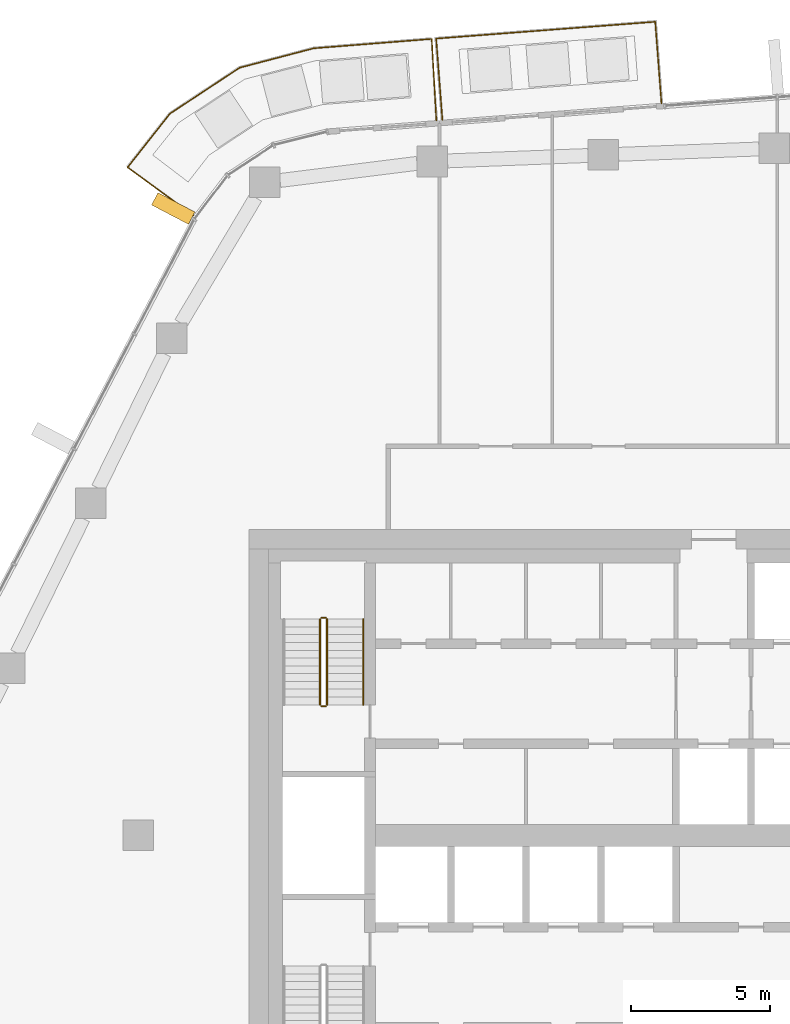
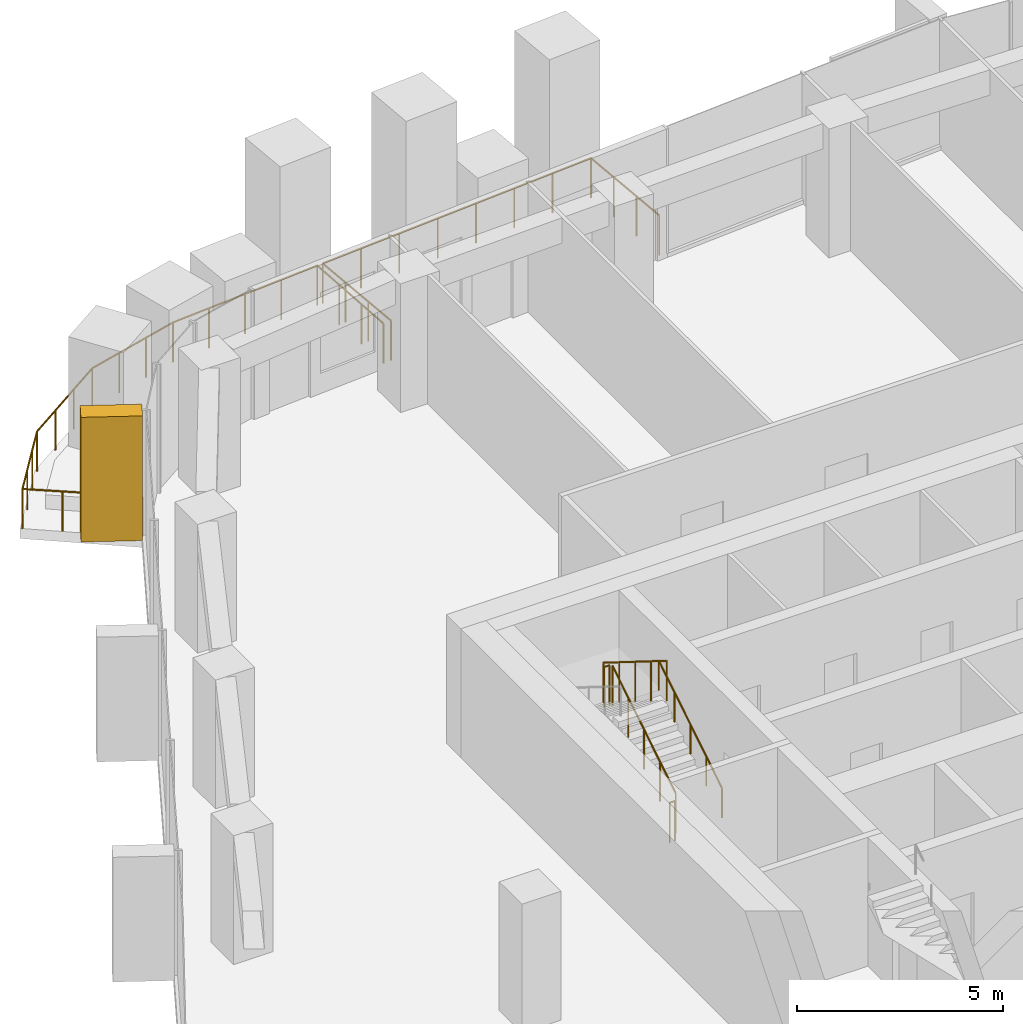
# One storey, part 19 of 20: 7 railings, 1 covering, 1 element without a shape of its own.
"""IFC4 building model written with IfcOpenShell, lengths in metres."""

import ifcopenshell
import ifcopenshell.guid

model = None  # the IFC model being written
_history = None  # IfcOwnerHistory: only IFC2X3 demands one
_inside = {}  # id of a spatial element -> (the spatial element, [elements in it])
_under = {}  # id of a project, library or spatial element -> (it, [spatial elements below it])
_declared = {}  # id of a project -> (the project, [libraries it declares])
_typed = {}  # id of a type object -> (the type object, [elements of that type])
_made_of = {}  # id of a material, layer set ... -> (it, [elements and type objects made of it])


def new_model(schema):
    """Start an empty IFC model of exactly this schema.

    Asked for "IFC4X3", IfcOpenShell would pick the latest addendum, in which some entities
    have other attributes; the version numbers below select the first issue.
    IFC2X3 requires an IfcOwnerHistory on every rooted entity: one is made here for all.
    """
    global model, _history
    if schema == "IFC4X3":
        model = ifcopenshell.file(schema_version=(4, 3, 0, 0))
    else:
        model = ifcopenshell.file(schema=schema)
    _inside.clear()
    _under.clear()
    _declared.clear()
    _typed.clear()
    _made_of.clear()
    _history = None
    if model.schema == "IFC2X3":
        org = make("IfcOrganization", Name="unknown")
        user = make(
            "IfcPersonAndOrganization",
            ThePerson=make("IfcPerson", FamilyName="unknown"),
            TheOrganization=org,
        )
        app = make(
            "IfcApplication",
            ApplicationDeveloper=org,
            Version="unknown",
            ApplicationFullName="unknown",
            ApplicationIdentifier="unknown",
        )
        _history = make(
            "IfcOwnerHistory",
            OwningUser=user,
            OwningApplication=app,
            ChangeAction="ADDED",
            CreationDate=0,
        )
    return model


def make(cls, **values):
    """One entity of the class cls with the attributes given. An attribute that is None is left unset."""
    return model.create_entity(
        cls, **{name: value for name, value in values.items() if value is not None}
    )


def rooted(cls, **values):
    """An entity with a GlobalId (a new one), such as an element, a storey or a relation."""
    return make(cls, GlobalId=ifcopenshell.guid.new(), OwnerHistory=_history, **values)


def si_unit(unit_type, name, prefix=None):
    """IfcSIUnit, for example si_unit("LENGTHUNIT", "METRE", prefix="MILLI")."""
    return make("IfcSIUnit", UnitType=unit_type, Prefix=prefix, Name=name)


def assignment(units):
    """IfcUnitAssignment: the units of a project."""
    return None if units is None else make("IfcUnitAssignment", Units=units)


def point(xyz):
    """IfcCartesianPoint."""
    return None if xyz is None else make("IfcCartesianPoint", Coordinates=xyz)


def direction(xyz):
    """IfcDirection."""
    return None if xyz is None else make("IfcDirection", DirectionRatios=xyz)


def frame(location, z_axis=None, x_axis=None):
    """IfcAxis2Placement3D, a coordinate frame: its origin and axes. An axis left out is left unset."""
    return make(
        "IfcAxis2Placement3D",
        Location=point(location),
        Axis=direction(z_axis),
        RefDirection=direction(x_axis),
    )


def frame_2d(location, x_axis=None):
    """IfcAxis2Placement2D, a coordinate frame in the plane: its origin and x axis."""
    return make(
        "IfcAxis2Placement2D", Location=point(location), RefDirection=direction(x_axis)
    )


def origin():
    """The frame at (0, 0, 0) with its axes left unset."""
    return frame((0.0, 0.0, 0.0))


def origin_2d():
    """The frame at (0, 0) in the plane with its x axis left unset."""
    return frame_2d((0.0, 0.0))


def place(relative_to, where):
    """IfcLocalPlacement: puts the frame where relative to a parent placement (None: the world)."""
    return make(
        "IfcLocalPlacement", PlacementRelTo=relative_to, RelativePlacement=where
    )


def context(
    kind, dimensions, precision=None, world=None, true_north=None, identifier=None
):
    """IfcGeometricRepresentationContext, for example the 3D "Model" context."""
    return make(
        "IfcGeometricRepresentationContext",
        ContextIdentifier=identifier,
        ContextType=kind,
        CoordinateSpaceDimension=dimensions,
        Precision=precision,
        WorldCoordinateSystem=world,
        TrueNorth=true_north,
    )


def subcontext(parent, identifier, kind, view, scale=None):
    """IfcGeometricRepresentationSubContext, for example "Body" below "Model"."""
    return make(
        "IfcGeometricRepresentationSubContext",
        ContextIdentifier=identifier,
        ContextType=kind,
        ParentContext=parent,
        TargetScale=scale,
        TargetView=view,
    )


def project(units=None, contexts=None):
    """IfcProject with its units and contexts."""
    return rooted(
        "IfcProject",
        Name="project",
        RepresentationContexts=contexts,
        UnitsInContext=assignment(units),
    )


def spatial(cls, under=None, at=None, **own):
    """A site, building, storey or space (cls), placed at a placement, below another one or the project."""
    s = rooted(cls, ObjectPlacement=at, **own)
    if under is not None:
        _under.setdefault(under.id(), (under, []))[1].append(s)
    return s


def profile(cls, at=None, kind="AREA", **sizes):
    """A parametric profile (cls). Its sizes go by their IFC names, for example OverallWidth=200.0."""
    return make(cls, ProfileType=kind, Position=at, **sizes)


def rectangle(**sizes):
    """IfcRectangleProfileDef."""
    return profile("IfcRectangleProfileDef", **sizes)


def circle(**sizes):
    """IfcCircleProfileDef."""
    return profile("IfcCircleProfileDef", **sizes)


def extrude(swept, where, along, depth):
    """IfcExtrudedAreaSolid: the profile swept, set in the frame where, extruded along a direction by depth."""
    return make(
        "IfcExtrudedAreaSolid",
        SweptArea=swept,
        Position=where,
        ExtrudedDirection=direction(along),
        Depth=depth,
    )


def shape(context_of_items, identifier, shape_type, items):
    """IfcShapeRepresentation: the items that make up one representation, for example the "Body"."""
    return make(
        "IfcShapeRepresentation",
        ContextOfItems=context_of_items,
        RepresentationIdentifier=identifier,
        RepresentationType=shape_type,
        Items=items,
    )


def material(Name=None, Category=None):
    """IfcMaterial."""
    return make("IfcMaterial", Name=Name, Category=Category)


def layer(
    of_material, thickness, ventilated=None, Name=None, Category=None, Priority=None
):
    """IfcMaterialLayer: one layer of a wall or slab, of a material (None: an air gap)."""
    return make(
        "IfcMaterialLayer",
        Material=of_material,
        LayerThickness=thickness,
        IsVentilated=ventilated,
        Name=Name,
        Category=Category,
        Priority=Priority,
    )


def layer_set(layers, Name=None):
    """IfcMaterialLayerSet."""
    return make("IfcMaterialLayerSet", MaterialLayers=layers, LayerSetName=Name)


def material_profile(
    of_material, cross_section, Name=None, Category=None, Priority=None
):
    """IfcMaterialProfile: a cross section and its material."""
    return make(
        "IfcMaterialProfile",
        Name=Name,
        Material=of_material,
        Profile=cross_section,
        Priority=Priority,
        Category=Category,
    )


def profile_set(profiles, Name=None, composite=None):
    """IfcMaterialProfileSet."""
    return make(
        "IfcMaterialProfileSet",
        Name=Name,
        MaterialProfiles=profiles,
        CompositeProfile=composite,
    )


def made_of(thing, what):
    """Note that an element or type object is made of a material, layer set ...; save() writes the relation."""
    if what is not None:
        _made_of.setdefault(what.id(), (what, []))[1].append(thing)
    return thing


def type_object(cls, material=None, **own):
    """A type object (cls), such as IfcWallType, which elements share."""
    return made_of(rooted(cls, **own), material)


def element(
    cls,
    number,
    at=None,
    inside=None,
    cuts=None,
    type_object=None,
    material=None,
    context=None,
    identifier="Body",
    shape_type=None,
    held_by="IfcProductDefinitionShape",
    body=None,
    shapes=None,
    **own,
):
    """One element of the class cls, such as IfcWall. Its Tag is "e" and its number.

    at: its placement. inside: the storey or other place that contains it. cuts: it is an
    opening in that element (IfcRelVoidsElement). A single representation is given by context,
    identifier, shape_type and body (its items); several are given by shapes. held_by: the class
    of the entity that holds the representations. save() writes the other relations.
    """
    e = rooted(cls, Tag="e%d" % number, ObjectPlacement=at, **own)
    if body is not None:
        shapes = [shape(context, identifier, shape_type, body)]
    if shapes is not None:
        e.Representation = make(held_by, Representations=shapes)
    if inside is not None:
        _inside.setdefault(inside.id(), (inside, []))[1].append(e)
    if cuts is not None:
        rooted(
            "IfcRelVoidsElement", RelatingBuildingElement=cuts, RelatedOpeningElement=e
        )
    if type_object is not None:
        _typed.setdefault(type_object.id(), (type_object, []))[1].append(e)
    return made_of(e, material)


def aggregate(whole, parts):
    """IfcRelAggregates: a whole, such as a stair, and the parts it consists of."""
    return rooted("IfcRelAggregates", RelatingObject=whole, RelatedObjects=parts)


def save(model, path):
    """Write the relations noted so far, then the file.

    IfcRelAggregates (storeys below a building ...), IfcRelContainedInSpatialStructure (elements
    in a storey), IfcRelDefinesByType, IfcRelAssociatesMaterial and IfcRelDeclares: one each for
    every whole, place, type object, material and project.
    """
    for whole, parts in _under.values():
        aggregate(whole, parts)
    for where, things in _inside.values():
        rooted(
            "IfcRelContainedInSpatialStructure",
            RelatedElements=things,
            RelatingStructure=where,
        )
    for kind, things in _typed.values():
        rooted("IfcRelDefinesByType", RelatedObjects=things, RelatingType=kind)
    for what, things in _made_of.values():
        rooted("IfcRelAssociatesMaterial", RelatedObjects=things, RelatingMaterial=what)
    for by, libraries in _declared.values():
        rooted("IfcRelDeclares", RelatingContext=by, RelatedDefinitions=libraries)
    model.write(path)


model = new_model("IFC4")

# Units and contexts
model_context = context("Model", 3, precision=1e-05, world=origin(), true_north=direction((0.0, 1.0)))
body_context = subcontext(model_context, "Body", "Model", "MODEL_VIEW")
ifc_project = project(units=[si_unit("LENGTHUNIT", "METRE"), si_unit("AREAUNIT", "SQUARE_METRE"), si_unit("VOLUMEUNIT", "CUBIC_METRE"), si_unit("PLANEANGLEUNIT", "RADIAN"), si_unit("MASSUNIT", "GRAM", prefix="KILO")], contexts=[model_context])

# Site, building, storey
site_placement = place(None, origin())
site = spatial("IfcSite", under=ifc_project, at=site_placement, CompositionType="ELEMENT")
building_placement = place(site_placement, origin())
building = spatial("IfcBuilding", under=site, at=building_placement, Name="Dongbaek Canopy Tower", CompositionType="ELEMENT")
storey_placement = place(building_placement, frame((0.0, 0.0, 249.60009765625)))
storey = spatial("IfcBuildingStorey", under=building, at=storey_placement, Name="L52", CompositionType="ELEMENT", Elevation=249.60009765625)

# Railings
ifc_material_1 = material(Name="Stainless steel", Category="steel")
railing_type_1 = type_object("IfcRailingType", Name="Balcony balustrade 1200", PredefinedType="BALUSTRADE", material=ifc_material_1)
railing_1_placement = place(storey_placement, frame((0.82763671875, 26.336181640625, 0.0)))
element("IfcRailing", 1, at=railing_1_placement, inside=storey, type_object=railing_type_1, Name="Balcony guard L52 2", PredefinedType="BALUSTRADE", context=body_context, shape_type="SweptSolid", body=[
    extrude(circle(Radius=0.02392578125, at=origin_2d()), frame((0.0, 0.0, 1.17578125), z_axis=(-0.076480590967, 0.997071070288, 0.0), x_axis=(-0.997071070288, -0.076480590967, 0.0)), (0.0, 0.0, 1.0), 2.93994140625),
    extrude(circle(Radius=0.02392578125, at=origin_2d()), frame((-0.224853515625, 2.931396484375, 1.17578125), z_axis=(-0.997069551108, -0.076500393807, 0.0), x_axis=(0.076500393807, -0.997069551108, 0.0)), (0.0, 0.0, 1.0), 7.90185546875),
    extrude(circle(Radius=0.02392578125, at=origin_2d()), frame((-8.103515625, 2.326904296875, 1.17578125), z_axis=(0.076480590967, -0.997071070288, 0.0), x_axis=(0.997071070288, 0.076480590967, 0.0)), (0.0, 0.0, 1.0), 2.93994140625),
    extrude(circle(Radius=0.02099609375, at=origin_2d()), origin(), (0.0, 0.0, 1.0), 1.15185546875),
    extrude(circle(Radius=0.02099609375, at=origin_2d()), frame((-0.074951171875, 0.97705078125, 0.0)), (0.0, 0.0, 1.0), 1.15185546875),
    extrude(circle(Radius=0.02099609375, at=origin_2d()), frame((-0.14990234375, 1.954345703125, 0.0)), (0.0, 0.0, 1.0), 1.15185546875),
    extrude(circle(Radius=0.02099609375, at=origin_2d()), frame((-0.224853515625, 2.931396484375, 0.0)), (0.0, 0.0, 1.0), 1.15185546875),
    extrude(circle(Radius=0.02099609375, at=origin_2d()), frame((-1.350341796875, 2.844970703125, 0.0)), (0.0, 0.0, 1.0), 1.15185546875),
    extrude(circle(Radius=0.02099609375, at=origin_2d()), frame((-2.475830078125, 2.7587890625, 0.0)), (0.0, 0.0, 1.0), 1.15185546875),
    extrude(circle(Radius=0.02099609375, at=origin_2d()), frame((-3.601318359375, 2.67236328125, 0.0)), (0.0, 0.0, 1.0), 1.15185546875),
    extrude(circle(Radius=0.02099609375, at=origin_2d()), frame((-4.72705078125, 2.5859375, 0.0)), (0.0, 0.0, 1.0), 1.15185546875),
    extrude(circle(Radius=0.02099609375, at=origin_2d()), frame((-5.8525390625, 2.49951171875, 0.0)), (0.0, 0.0, 1.0), 1.15185546875),
    extrude(circle(Radius=0.02099609375, at=origin_2d()), frame((-6.97802734375, 2.413330078125, 0.0)), (0.0, 0.0, 1.0), 1.15185546875),
    extrude(circle(Radius=0.02099609375, at=origin_2d()), frame((-8.103515625, 2.326904296875, 0.0)), (0.0, 0.0, 1.0), 1.15185546875),
    extrude(circle(Radius=0.02099609375, at=origin_2d()), frame((-8.028564453125, 1.349853515625, 0.0)), (0.0, 0.0, 1.0), 1.15185546875),
    extrude(circle(Radius=0.02099609375, at=origin_2d()), frame((-7.95361328125, 0.37255859375, 0.0)), (0.0, 0.0, 1.0), 1.15185546875),
    extrude(circle(Radius=0.02099609375, at=origin_2d()), frame((-7.878662109375, -0.6044921875, 0.0)), (0.0, 0.0, 1.0), 1.15185546875),
])
railing_2_placement = place(storey_placement, frame((-7.270263671875, 25.71484375, 0.0)))
element("IfcRailing", 2, at=railing_2_placement, inside=storey, type_object=railing_type_1, Name="Balcony guard L52 7", PredefinedType="BALUSTRADE", context=body_context, shape_type="SweptSolid", body=[
    extrude(circle(Radius=0.02392578125, at=origin_2d()), frame((0.0, 0.0, 1.17578125), z_axis=(-0.056205704733, 0.998419209929, 0.0), x_axis=(-0.998419209929, -0.056205704733, 0.0)), (0.0, 0.0, 1.0), 2.940673828125),
    extrude(circle(Radius=0.02392578125, at=origin_2d()), frame((-0.165283203125, 2.93603515625, 1.17578125), z_axis=(-0.996874429289, -0.079002355852, 0.0), x_axis=(0.079002355852, -0.996874429289, 0.0)), (0.0, 0.0, 1.0), 4.258544921875),
    extrude(circle(Radius=0.02392578125, at=origin_2d()), frame((-4.410400390625, 2.599609375, 1.17578125), z_axis=(-0.967257881136, -0.253795570057, 0.0), x_axis=(0.253795570057, -0.967257881136, 0.0)), (0.0, 0.0, 1.0), 2.756103515625),
    extrude(circle(Radius=0.02392578125, at=origin_2d()), frame((-7.076171875, 1.900146484375, 1.17578125), z_axis=(-0.835028692723, -0.550206399754, 0.0), x_axis=(0.550206399754, -0.835028692723, 0.0)), (0.0, 0.0, 1.0), 3.001708984375),
    extrude(circle(Radius=0.02392578125, at=origin_2d()), frame((-9.582763671875, 0.24853515625, 1.17578125), z_axis=(-0.619206343343, -0.785228313527, 0.0), x_axis=(0.785228313527, -0.619206343343, 0.0)), (0.0, 0.0, 1.0), 2.458740234375),
    extrude(circle(Radius=0.02392578125, at=origin_2d()), frame((-11.105224609375, -1.68212890625, 1.17578125), z_axis=(0.807841164068, -0.589400249098, 0.0), x_axis=(0.589400249098, 0.807841164068, 0.0)), (0.0, 0.0, 1.0), 2.9404296875),
    extrude(circle(Radius=0.02099609375, at=origin_2d()), origin(), (0.0, 0.0, 1.0), 1.15185546875),
    extrude(circle(Radius=0.02099609375, at=origin_2d()), frame((-0.05517578125, 0.978759765625, 0.0)), (0.0, 0.0, 1.0), 1.15185546875),
    extrude(circle(Radius=0.02099609375, at=origin_2d()), frame((-0.110107421875, 1.957275390625, 0.0)), (0.0, 0.0, 1.0), 1.15185546875),
    extrude(circle(Radius=0.02099609375, at=origin_2d()), frame((-0.165283203125, 2.93603515625, 0.0)), (0.0, 0.0, 1.0), 1.15185546875),
    extrude(circle(Radius=0.02099609375, at=origin_2d()), frame((-1.2265625, 2.85205078125, 0.0)), (0.0, 0.0, 1.0), 1.15185546875),
    extrude(circle(Radius=0.02099609375, at=origin_2d()), frame((-2.287841796875, 2.767822265625, 0.0)), (0.0, 0.0, 1.0), 1.15185546875),
    extrude(circle(Radius=0.02099609375, at=origin_2d()), frame((-3.34912109375, 2.68359375, 0.0)), (0.0, 0.0, 1.0), 1.15185546875),
    extrude(circle(Radius=0.02099609375, at=origin_2d()), frame((-4.410400390625, 2.599609375, 0.0)), (0.0, 0.0, 1.0), 1.15185546875),
    extrude(circle(Radius=0.02099609375, at=origin_2d()), frame((-5.299072265625, 2.366455078125, 0.0)), (0.0, 0.0, 1.0), 1.15185546875),
    extrude(circle(Radius=0.02099609375, at=origin_2d()), frame((-6.1875, 2.13330078125, 0.0)), (0.0, 0.0, 1.0), 1.15185546875),
    extrude(circle(Radius=0.02099609375, at=origin_2d()), frame((-7.076171875, 1.900146484375, 0.0)), (0.0, 0.0, 1.0), 1.15185546875),
    extrude(circle(Radius=0.02099609375, at=origin_2d()), frame((-7.91162109375, 1.349609375, 0.0)), (0.0, 0.0, 1.0), 1.15185546875),
    extrude(circle(Radius=0.02099609375, at=origin_2d()), frame((-8.747314453125, 0.799072265625, 0.0)), (0.0, 0.0, 1.0), 1.15185546875),
    extrude(circle(Radius=0.02099609375, at=origin_2d()), frame((-9.582763671875, 0.24853515625, 0.0)), (0.0, 0.0, 1.0), 1.15185546875),
    extrude(circle(Radius=0.02099609375, at=origin_2d()), frame((-10.09033203125, -0.39501953125, 0.0)), (0.0, 0.0, 1.0), 1.15185546875),
    extrude(circle(Radius=0.02099609375, at=origin_2d()), frame((-10.59765625, -1.03857421875, 0.0)), (0.0, 0.0, 1.0), 1.15185546875),
    extrude(circle(Radius=0.02099609375, at=origin_2d()), frame((-11.105224609375, -1.68212890625, 0.0)), (0.0, 0.0, 1.0), 1.15185546875),
    extrude(circle(Radius=0.02099609375, at=origin_2d()), frame((-10.3134765625, -2.259765625, 0.0)), (0.0, 0.0, 1.0), 1.15185546875),
    extrude(circle(Radius=0.02099609375, at=origin_2d()), frame((-9.521484375, -2.837646484375, 0.0)), (0.0, 0.0, 1.0), 1.15185546875),
    extrude(circle(Radius=0.02099609375, at=origin_2d()), frame((-8.729736328125, -3.415283203125, 0.0)), (0.0, 0.0, 1.0), 1.15185546875),
])

# Curtain wall, covering
ifc_material_2 = material(Name="Aluminium 6063-T6 pale anodised", Category="aluminium")
ifc_layer = layer(ifc_material_2, 0.199951171875)
ifc_layer_set = layer_set([ifc_layer], Name="CW-1 unitised tower curtain wall")
curtain_wall_type = type_object("IfcCurtainWallType", Name="CW-1 unitised tower curtain wall", PredefinedType="NOTDEFINED", material=ifc_layer_set)
curtain_wall_placement = place(storey_placement, origin())
curtain_wall = element("IfcCurtainWall", 3, at=curtain_wall_placement, inside=storey, type_object=curtain_wall_type, Name="CW-1 curtain wall F2.1", PredefinedType="NOTDEFINED")
ifc_material_3 = material(Name="Aluminium 6063-T6 pale metal fin", Category="aluminium")
ifc_material_profile = material_profile(ifc_material_3, rectangle(XDim=1.5, YDim=0.5, at=origin_2d()), Name="Fin FN1 500 x 1500 pale metal")
ifc_profile_set = profile_set([ifc_material_profile], Name="Aluminium 6063-T6 pale metal fin")
covering_type = type_object("IfcCoveringType", Name="Fin FN1 500 x 1500 pale metal", PredefinedType="CLADDING", material=ifc_profile_set)
covering_placement = place(storey_placement, frame((-16.735107421875, 22.55224609375, 0.119873046875), z_axis=(0.0, 0.0, 1.0), x_axis=(-0.886019109709, 0.463648721803, 0.0)))
covering = element("IfcCovering", 4, at=covering_placement, type_object=covering_type, Name="Fin F2.1.1", PredefinedType="CLADDING", context=body_context, shape_type="SweptSolid", body=[
    extrude(rectangle(XDim=1.5, YDim=0.5, at=origin_2d()), origin(), (0.0, 0.0, 1.0), 3.699951171875),
])
aggregate(curtain_wall, [covering])

# Railings
ifc_material_4 = material(Name="Stainless steel tube and balusters", Category="steel")
railing_type_2 = type_object("IfcRailingType", Name="Stair guard 1200", PredefinedType="GUARDRAIL", material=ifc_material_4)
railing_3_placement = place(storey_placement, frame((-11.199951171875, 4.699951171875, 0.1748046875)))
element("IfcRailing", 5, at=railing_3_placement, inside=storey, type_object=railing_type_2, Name="L52 ST-C stair guard 1", PredefinedType="GUARDRAIL", context=body_context, shape_type="SweptSolid", body=[
    extrude(circle(Radius=0.02392578125, at=origin_2d()), frame((0.0, 0.0, 1.17578125), z_axis=(0.0, 0.847998304005, 0.529998940003), x_axis=(-1.0, 0.0, 0.0)), (0.0, 0.0, 1.0), 3.632080078125),
    extrude(circle(Radius=0.02099609375, at=origin_2d()), origin(), (0.0, 0.0, 1.0), 1.15185546875),
    extrude(circle(Radius=0.02099609375, at=origin_2d()), frame((0.0, 0.77001953125, 0.481201171875)), (0.0, 0.0, 1.0), 1.15185546875),
    extrude(circle(Radius=0.02099609375, at=origin_2d()), frame((0.0, 1.5400390625, 0.96240234375)), (0.0, 0.0, 1.0), 1.15185546875),
    extrude(circle(Radius=0.02099609375, at=origin_2d()), frame((0.0, 2.31005859375, 1.44384765625)), (0.0, 0.0, 1.0), 1.15185546875),
    extrude(circle(Radius=0.02099609375, at=origin_2d()), frame((0.0, 3.080078125, 1.925048828125)), (0.0, 0.0, 1.0), 1.15185546875),
])
railing_4_placement = place(storey_placement, frame((-11.25, 7.830078125, 2.099853515625)))
element("IfcRailing", 6, at=railing_4_placement, inside=storey, type_object=railing_type_2, Name="L52 ST-C stair guard 2", PredefinedType="GUARDRAIL", context=body_context, shape_type="SweptSolid", body=[
    extrude(circle(Radius=0.02392578125, at=origin_2d()), frame((0.0, 0.0, 1.17578125), z_axis=(-1.0, 0.0, 0.0), x_axis=(0.0, -1.0, 0.0)), (0.0, 0.0, 1.0), 0.14990234375),
    extrude(circle(Radius=0.02099609375, at=origin_2d()), origin(), (0.0, 0.0, 1.0), 1.15185546875),
    extrude(circle(Radius=0.02099609375, at=origin_2d()), frame((-0.14990234375, 0.0, 0.0)), (0.0, 0.0, 1.0), 1.15185546875),
])
railing_5_placement = place(storey_placement, frame((-11.449951171875, 7.780029296875, 2.27490234375)))
element("IfcRailing", 7, at=railing_5_placement, inside=storey, type_object=railing_type_2, Name="L52 ST-C stair guard 3", PredefinedType="GUARDRAIL", context=body_context, shape_type="SweptSolid", body=[
    extrude(circle(Radius=0.02392578125, at=origin_2d()), frame((0.0, 0.0, 1.17578125), z_axis=(0.0, -0.847998304005, 0.529998940003), x_axis=(1.0, 0.0, 0.0)), (0.0, 0.0, 1.0), 3.632080078125),
    extrude(circle(Radius=0.02099609375, at=origin_2d()), origin(), (0.0, 0.0, 1.0), 1.15185546875),
    extrude(circle(Radius=0.02099609375, at=origin_2d()), frame((0.0, -0.77001953125, 0.481201171875)), (0.0, 0.0, 1.0), 1.15185546875),
    extrude(circle(Radius=0.02099609375, at=origin_2d()), frame((0.0, -1.5400390625, 0.96240234375)), (0.0, 0.0, 1.0), 1.15185546875),
    extrude(circle(Radius=0.02099609375, at=origin_2d()), frame((0.0, -2.31005859375, 1.44384765625)), (0.0, 0.0, 1.0), 1.15185546875),
    extrude(circle(Radius=0.02099609375, at=origin_2d()), frame((0.0, -3.080078125, 1.925048828125)), (0.0, 0.0, 1.0), 1.15185546875),
])
railing_6_placement = place(storey_placement, frame((-11.25, 4.64990234375, 0.0)))
element("IfcRailing", 8, at=railing_6_placement, inside=storey, type_object=railing_type_2, Name="L52 ST-C stair guard 4", PredefinedType="GUARDRAIL", context=body_context, shape_type="SweptSolid", body=[
    extrude(circle(Radius=0.02392578125, at=origin_2d()), frame((0.0, 0.0, 1.17578125), z_axis=(-1.0, 0.0, 0.0), x_axis=(0.0, -1.0, 0.0)), (0.0, 0.0, 1.0), 0.14990234375),
    extrude(circle(Radius=0.02099609375, at=origin_2d()), origin(), (0.0, 0.0, 1.0), 1.15185546875),
    extrude(circle(Radius=0.02099609375, at=origin_2d()), frame((-0.14990234375, 0.0, 0.0)), (0.0, 0.0, 1.0), 1.15185546875),
])
ifc_material_5 = material(Name="Stainless steel tube", Category="steel")
railing_type_3 = type_object("IfcRailingType", Name="Stair handrail 900", PredefinedType="HANDRAIL", material=ifc_material_5)
railing_7_placement = place(storey_placement, frame((-9.89990234375, 4.699951171875, 0.1748046875)))
element("IfcRailing", 9, at=railing_7_placement, inside=storey, type_object=railing_type_3, Name="L52 ST-C stair handrail 1", PredefinedType="HANDRAIL", context=body_context, shape_type="SweptSolid", body=[
    extrude(circle(Radius=0.02392578125, at=origin_2d()), frame((0.0, 0.0, 0.8759765625), z_axis=(0.0, 0.847998304005, 0.529998940003), x_axis=(-1.0, 0.0, 0.0)), (0.0, 0.0, 1.0), 3.632080078125),
    extrude(circle(Radius=0.02099609375, at=origin_2d()), origin(), (0.0, 0.0, 1.0), 0.851806640625),
    extrude(circle(Radius=0.02099609375, at=origin_2d()), frame((0.0, 0.77001953125, 0.481201171875)), (0.0, 0.0, 1.0), 0.851806640625),
    extrude(circle(Radius=0.02099609375, at=origin_2d()), frame((0.0, 1.5400390625, 0.96240234375)), (0.0, 0.0, 1.0), 0.851806640625),
    extrude(circle(Radius=0.02099609375, at=origin_2d()), frame((0.0, 2.31005859375, 1.44384765625)), (0.0, 0.0, 1.0), 0.851806640625),
    extrude(circle(Radius=0.02099609375, at=origin_2d()), frame((0.0, 3.080078125, 1.925048828125)), (0.0, 0.0, 1.0), 0.851806640625),
])

save(model, "model.ifc")
